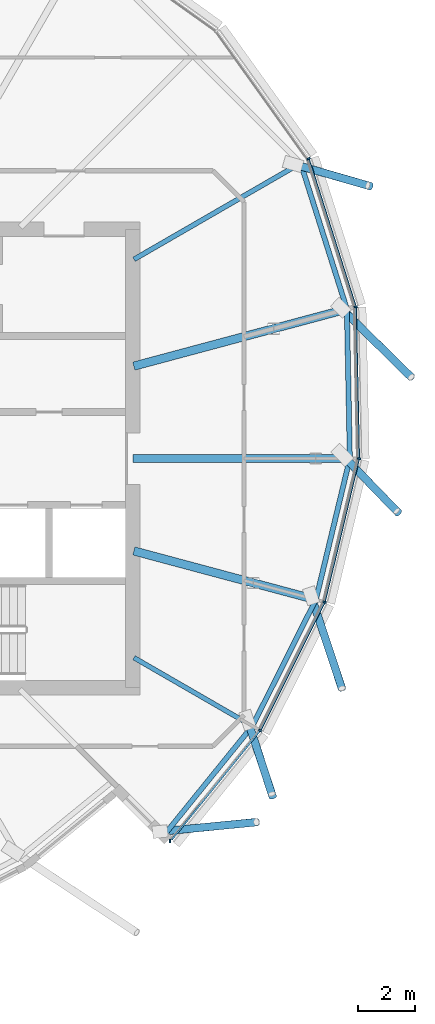
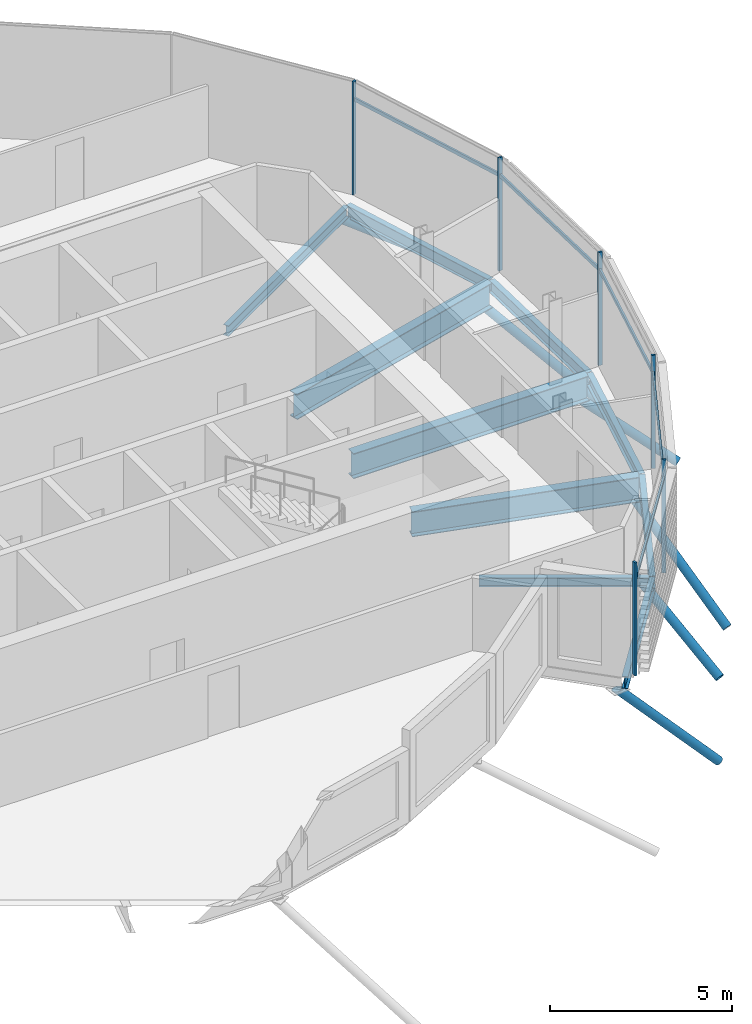
# One storey, part 12 of 38: 17 members, 10 beams, 1 element without a shape of its own.
"""IFC4 building model written with IfcOpenShell, lengths in metres."""

import ifcopenshell
import ifcopenshell.guid

model = None  # the IFC model being written
_history = None  # IfcOwnerHistory: only IFC2X3 demands one
_inside = {}  # id of a spatial element -> (the spatial element, [elements in it])
_under = {}  # id of a project, library or spatial element -> (it, [spatial elements below it])
_declared = {}  # id of a project -> (the project, [libraries it declares])
_typed = {}  # id of a type object -> (the type object, [elements of that type])
_made_of = {}  # id of a material, layer set ... -> (it, [elements and type objects made of it])


def new_model(schema):
    """Start an empty IFC model of exactly this schema.

    Asked for "IFC4X3", IfcOpenShell would pick the latest addendum, in which some entities
    have other attributes; the version numbers below select the first issue.
    IFC2X3 requires an IfcOwnerHistory on every rooted entity: one is made here for all.
    """
    global model, _history
    if schema == "IFC4X3":
        model = ifcopenshell.file(schema_version=(4, 3, 0, 0))
    else:
        model = ifcopenshell.file(schema=schema)
    _inside.clear()
    _under.clear()
    _declared.clear()
    _typed.clear()
    _made_of.clear()
    _history = None
    if model.schema == "IFC2X3":
        org = make("IfcOrganization", Name="unknown")
        user = make(
            "IfcPersonAndOrganization",
            ThePerson=make("IfcPerson", FamilyName="unknown"),
            TheOrganization=org,
        )
        app = make(
            "IfcApplication",
            ApplicationDeveloper=org,
            Version="unknown",
            ApplicationFullName="unknown",
            ApplicationIdentifier="unknown",
        )
        _history = make(
            "IfcOwnerHistory",
            OwningUser=user,
            OwningApplication=app,
            ChangeAction="ADDED",
            CreationDate=0,
        )
    return model


def make(cls, **values):
    """One entity of the class cls with the attributes given. An attribute that is None is left unset."""
    return model.create_entity(
        cls, **{name: value for name, value in values.items() if value is not None}
    )


def rooted(cls, **values):
    """An entity with a GlobalId (a new one), such as an element, a storey or a relation."""
    return make(cls, GlobalId=ifcopenshell.guid.new(), OwnerHistory=_history, **values)


def si_unit(unit_type, name, prefix=None):
    """IfcSIUnit, for example si_unit("LENGTHUNIT", "METRE", prefix="MILLI")."""
    return make("IfcSIUnit", UnitType=unit_type, Prefix=prefix, Name=name)


def assignment(units):
    """IfcUnitAssignment: the units of a project."""
    return None if units is None else make("IfcUnitAssignment", Units=units)


def point(xyz):
    """IfcCartesianPoint."""
    return None if xyz is None else make("IfcCartesianPoint", Coordinates=xyz)


def direction(xyz):
    """IfcDirection."""
    return None if xyz is None else make("IfcDirection", DirectionRatios=xyz)


def frame(location, z_axis=None, x_axis=None):
    """IfcAxis2Placement3D, a coordinate frame: its origin and axes. An axis left out is left unset."""
    return make(
        "IfcAxis2Placement3D",
        Location=point(location),
        Axis=direction(z_axis),
        RefDirection=direction(x_axis),
    )


def frame_2d(location, x_axis=None):
    """IfcAxis2Placement2D, a coordinate frame in the plane: its origin and x axis."""
    return make(
        "IfcAxis2Placement2D", Location=point(location), RefDirection=direction(x_axis)
    )


def origin():
    """The frame at (0, 0, 0) with its axes left unset."""
    return frame((0.0, 0.0, 0.0))


def origin_2d():
    """The frame at (0, 0) in the plane with its x axis left unset."""
    return frame_2d((0.0, 0.0))


def place(relative_to, where):
    """IfcLocalPlacement: puts the frame where relative to a parent placement (None: the world)."""
    return make(
        "IfcLocalPlacement", PlacementRelTo=relative_to, RelativePlacement=where
    )


def context(
    kind, dimensions, precision=None, world=None, true_north=None, identifier=None
):
    """IfcGeometricRepresentationContext, for example the 3D "Model" context."""
    return make(
        "IfcGeometricRepresentationContext",
        ContextIdentifier=identifier,
        ContextType=kind,
        CoordinateSpaceDimension=dimensions,
        Precision=precision,
        WorldCoordinateSystem=world,
        TrueNorth=true_north,
    )


def subcontext(parent, identifier, kind, view, scale=None):
    """IfcGeometricRepresentationSubContext, for example "Body" below "Model"."""
    return make(
        "IfcGeometricRepresentationSubContext",
        ContextIdentifier=identifier,
        ContextType=kind,
        ParentContext=parent,
        TargetScale=scale,
        TargetView=view,
    )


def project(units=None, contexts=None):
    """IfcProject with its units and contexts."""
    return rooted(
        "IfcProject",
        Name="project",
        RepresentationContexts=contexts,
        UnitsInContext=assignment(units),
    )


def spatial(cls, under=None, at=None, **own):
    """A site, building, storey or space (cls), placed at a placement, below another one or the project."""
    s = rooted(cls, ObjectPlacement=at, **own)
    if under is not None:
        _under.setdefault(under.id(), (under, []))[1].append(s)
    return s


def profile(cls, at=None, kind="AREA", **sizes):
    """A parametric profile (cls). Its sizes go by their IFC names, for example OverallWidth=200.0."""
    return make(cls, ProfileType=kind, Position=at, **sizes)


def rectangle(**sizes):
    """IfcRectangleProfileDef."""
    return profile("IfcRectangleProfileDef", **sizes)


def hollow_circle(**sizes):
    """IfcCircleHollowProfileDef."""
    return profile("IfcCircleHollowProfileDef", **sizes)


def i_section(**sizes):
    """IfcIShapeProfileDef."""
    return profile("IfcIShapeProfileDef", **sizes)


def extrude(swept, where, along, depth):
    """IfcExtrudedAreaSolid: the profile swept, set in the frame where, extruded along a direction by depth."""
    return make(
        "IfcExtrudedAreaSolid",
        SweptArea=swept,
        Position=where,
        ExtrudedDirection=direction(along),
        Depth=depth,
    )


def clip(a, b, op="DIFFERENCE"):
    """IfcBooleanClippingResult: the solid a cut by the half space b."""
    return make(
        "IfcBooleanClippingResult", Operator=op, FirstOperand=a, SecondOperand=b
    )


def halfspace(plane, agree):
    """IfcHalfSpaceSolid: all space on one side of the plane z = 0 of the frame plane."""
    return make(
        "IfcHalfSpaceSolid",
        BaseSurface=make("IfcPlane", Position=plane),
        AgreementFlag=agree,
    )


def shape(context_of_items, identifier, shape_type, items):
    """IfcShapeRepresentation: the items that make up one representation, for example the "Body"."""
    return make(
        "IfcShapeRepresentation",
        ContextOfItems=context_of_items,
        RepresentationIdentifier=identifier,
        RepresentationType=shape_type,
        Items=items,
    )


def material(Name=None, Category=None):
    """IfcMaterial."""
    return make("IfcMaterial", Name=Name, Category=Category)


def material_profile(
    of_material, cross_section, Name=None, Category=None, Priority=None
):
    """IfcMaterialProfile: a cross section and its material."""
    return make(
        "IfcMaterialProfile",
        Name=Name,
        Material=of_material,
        Profile=cross_section,
        Priority=Priority,
        Category=Category,
    )


def profile_set(profiles, Name=None, composite=None):
    """IfcMaterialProfileSet."""
    return make(
        "IfcMaterialProfileSet",
        Name=Name,
        MaterialProfiles=profiles,
        CompositeProfile=composite,
    )


def made_of(thing, what):
    """Note that an element or type object is made of a material, layer set ...; save() writes the relation."""
    if what is not None:
        _made_of.setdefault(what.id(), (what, []))[1].append(thing)
    return thing


def type_object(cls, material=None, **own):
    """A type object (cls), such as IfcWallType, which elements share."""
    return made_of(rooted(cls, **own), material)


def element(
    cls,
    number,
    at=None,
    inside=None,
    cuts=None,
    type_object=None,
    material=None,
    context=None,
    identifier="Body",
    shape_type=None,
    held_by="IfcProductDefinitionShape",
    body=None,
    shapes=None,
    **own,
):
    """One element of the class cls, such as IfcWall. Its Tag is "e" and its number.

    at: its placement. inside: the storey or other place that contains it. cuts: it is an
    opening in that element (IfcRelVoidsElement). A single representation is given by context,
    identifier, shape_type and body (its items); several are given by shapes. held_by: the class
    of the entity that holds the representations. save() writes the other relations.
    """
    e = rooted(cls, Tag="e%d" % number, ObjectPlacement=at, **own)
    if body is not None:
        shapes = [shape(context, identifier, shape_type, body)]
    if shapes is not None:
        e.Representation = make(held_by, Representations=shapes)
    if inside is not None:
        _inside.setdefault(inside.id(), (inside, []))[1].append(e)
    if cuts is not None:
        rooted(
            "IfcRelVoidsElement", RelatingBuildingElement=cuts, RelatedOpeningElement=e
        )
    if type_object is not None:
        _typed.setdefault(type_object.id(), (type_object, []))[1].append(e)
    return made_of(e, material)


def aggregate(whole, parts):
    """IfcRelAggregates: a whole, such as a stair, and the parts it consists of."""
    return rooted("IfcRelAggregates", RelatingObject=whole, RelatedObjects=parts)


def save(model, path):
    """Write the relations noted so far, then the file.

    IfcRelAggregates (storeys below a building ...), IfcRelContainedInSpatialStructure (elements
    in a storey), IfcRelDefinesByType, IfcRelAssociatesMaterial and IfcRelDeclares: one each for
    every whole, place, type object, material and project.
    """
    for whole, parts in _under.values():
        aggregate(whole, parts)
    for where, things in _inside.values():
        rooted(
            "IfcRelContainedInSpatialStructure",
            RelatedElements=things,
            RelatingStructure=where,
        )
    for kind, things in _typed.values():
        rooted("IfcRelDefinesByType", RelatedObjects=things, RelatingType=kind)
    for what, things in _made_of.values():
        rooted("IfcRelAssociatesMaterial", RelatedObjects=things, RelatingMaterial=what)
    for by, libraries in _declared.values():
        rooted("IfcRelDeclares", RelatingContext=by, RelatedDefinitions=libraries)
    model.write(path)


model = new_model("IFC4")

# Units and contexts
model_context = context("Model", 3, precision=1e-05, world=origin(), true_north=direction((0.0, 1.0)))
body_context = subcontext(model_context, "Body", "Model", "MODEL_VIEW")
ifc_project = project(units=[si_unit("LENGTHUNIT", "METRE"), si_unit("AREAUNIT", "SQUARE_METRE"), si_unit("VOLUMEUNIT", "CUBIC_METRE"), si_unit("PLANEANGLEUNIT", "RADIAN"), si_unit("MASSUNIT", "GRAM", prefix="KILO")], contexts=[model_context])

# Site, building, storey
site_placement = place(None, origin())
site = spatial("IfcSite", under=ifc_project, at=site_placement, CompositionType="ELEMENT")
building_placement = place(site_placement, origin())
building = spatial("IfcBuilding", under=site, at=building_placement, Name="Rimbun Link Towers", CompositionType="ELEMENT")
storey_placement = place(building_placement, frame((0.0, 0.0, 218.10009765625)))
storey = spatial("IfcBuildingStorey", under=building, at=storey_placement, Name="L53", CompositionType="ELEMENT", Elevation=218.10009765625)

# Curtain wall, members
ifc_material_1 = material(Name="Aluminium 6063-T6 and low-iron glass", Category="aluminium")
curtain_wall_type = type_object("IfcCurtainWallType", Name="CW1-Z4 unitised vision wall (zone 4)", PredefinedType="NOTDEFINED", material=ifc_material_1)
curtain_wall_placement = place(storey_placement, origin())
curtain_wall = element("IfcCurtainWall", 1, at=curtain_wall_placement, inside=storey, type_object=curtain_wall_type, Name="CW1 L53 T2", PredefinedType="NOTDEFINED")
ifc_material_2 = material(Name="Aluminium 6063-T6", Category="aluminium")
ifc_material_profile_1 = material_profile(ifc_material_2, rectangle(XDim=0.1201171875, YDim=0.06005859375, at=origin_2d()), Name="MULLION 60X120")
ifc_profile_set_1 = profile_set([ifc_material_profile_1], Name="Aluminium 6063-T6")
member_type_1 = type_object("IfcMemberType", Name="CW1 mullion 60X120", PredefinedType="MULLION", material=ifc_profile_set_1)
member_1_placement = place(storey_placement, frame((48.19677734375, -9.4990234375, 0.0), z_axis=(0.0, 0.0, 1.0), x_axis=(0.84031380241, -0.542100279911, 0.0)))
member_1 = element("IfcMember", 2, at=member_1_placement, type_object=member_type_1, Name="CW1 mullion", PredefinedType="MULLION", context=body_context, shape_type="SweptSolid", body=[
    extrude(rectangle(XDim=0.1201171875, YDim=0.06005859375, at=origin_2d()), origin(), (0.0, 0.0, 1.0), 3.7998046875),
])
member_2_placement = place(storey_placement, frame((45.04931640625, -13.356201171875, 0.0), z_axis=(0.0, 0.0, 1.0), x_axis=(0.052431318032, -0.998624532489, 0.0)))
member_2 = element("IfcMember", 3, at=member_2_placement, type_object=member_type_1, Name="CW1 mullion", PredefinedType="MULLION", context=body_context, shape_type="SweptSolid", body=[
    extrude(rectangle(XDim=0.1201171875, YDim=0.06005859375, at=origin_2d()), origin(), (0.0, 0.0, 1.0), 3.7998046875),
])
member_3_placement = place(storey_placement, frame((50.447998046875, -5.015625, 0.0), z_axis=(0.0, 0.0, 1.0), x_axis=(0.939350189301, -0.342959504693, 0.0)))
member_3 = element("IfcMember", 4, at=member_3_placement, type_object=member_type_1, Name="CW1 mullion", PredefinedType="MULLION", context=body_context, shape_type="SweptSolid", body=[
    extrude(rectangle(XDim=0.1201171875, YDim=0.06005859375, at=origin_2d()), origin(), (0.0, 0.0, 1.0), 3.7998046875),
])
member_4_placement = place(storey_placement, frame((51.64599609375, -0.00634765625, 0.0), z_axis=(0.0, 0.0, 1.0), x_axis=(0.994297261703, -0.106644059234, 0.0)))
member_4 = element("IfcMember", 5, at=member_4_placement, type_object=member_type_1, Name="CW1 mullion", PredefinedType="MULLION", context=body_context, shape_type="SweptSolid", body=[
    extrude(rectangle(XDim=0.1201171875, YDim=0.06005859375, at=origin_2d()), origin(), (0.0, 0.0, 1.0), 3.7998046875),
])
member_5_placement = place(storey_placement, frame((51.5341796875, 5.295166015625, 0.0), z_axis=(0.0, 0.0, 1.0), x_axis=(0.986503176401, 0.163742123322, 0.0)))
member_5 = element("IfcMember", 6, at=member_5_placement, type_object=member_type_1, Name="CW1 mullion", PredefinedType="MULLION", context=body_context, shape_type="SweptSolid", body=[
    extrude(rectangle(XDim=0.1201171875, YDim=0.06005859375, at=origin_2d()), origin(), (0.0, 0.0, 1.0), 3.7998046875),
])
member_6_placement = place(storey_placement, frame((49.888916015625, 10.468505859375, 0.0), z_axis=(0.0, 0.0, 1.0), x_axis=(0.893747370615, 0.448570660563, 0.0)))
member_6 = element("IfcMember", 7, at=member_6_placement, type_object=member_type_1, Name="CW1 mullion", PredefinedType="MULLION", context=body_context, shape_type="SweptSolid", body=[
    extrude(rectangle(XDim=0.1201171875, YDim=0.06005859375, at=origin_2d()), origin(), (0.0, 0.0, 1.0), 3.7998046875),
])
ifc_material_3 = material(Name="Aluminium 6063-T6", Category="aluminium")
ifc_material_profile_2 = material_profile(ifc_material_3, rectangle(XDim=0.06005859375, YDim=0.1201171875, at=origin_2d()), Name="TRANSOM 60X120")
ifc_profile_set_2 = profile_set([ifc_material_profile_2], Name="Aluminium 6063-T6")
member_type_2 = type_object("IfcMemberType", Name="CW1 transom 60X120", PredefinedType="USERDEFINED", material=ifc_profile_set_2)
member_7_placement = place(storey_placement, frame((48.172607421875, -9.526123046875, 3.199951171875), z_axis=(-0.629186685301, -0.777254215196, 0.0), x_axis=(0.777254215196, -0.629186685301, 0.0)))
member_7 = element("IfcMember", 8, at=member_7_placement, type_object=member_type_2, Name="CW1 transom", ObjectType="TRANSOM", PredefinedType="USERDEFINED", context=body_context, shape_type="SweptSolid", body=[
    extrude(rectangle(XDim=0.06005859375, YDim=0.1201171875, at=origin_2d()), origin(), (0.0, 0.0, 1.0), 4.867431640625),
])
member_8_placement = place(storey_placement, frame((50.43017578125, -5.0478515625, 3.199951171875), z_axis=(-0.448773522583, -0.893645525602, 0.0), x_axis=(0.893645525602, -0.448773522583, 0.0)))
member_8 = element("IfcMember", 9, at=member_8_placement, type_object=member_type_2, Name="CW1 transom", ObjectType="TRANSOM", PredefinedType="USERDEFINED", context=body_context, shape_type="SweptSolid", body=[
    extrude(rectangle(XDim=0.06005859375, YDim=0.1201171875, at=origin_2d()), origin(), (0.0, 0.0, 1.0), 4.943603515625),
])
member_9_placement = place(storey_placement, frame((51.6357421875, -0.042724609375, 3.199951171875), z_axis=(-0.232608819972, -0.972570376308, 0.0), x_axis=(0.972570376308, -0.232608819972, 0.0)))
member_9 = element("IfcMember", 10, at=member_9_placement, type_object=member_type_2, Name="CW1 transom", ObjectType="TRANSOM", PredefinedType="USERDEFINED", context=body_context, shape_type="SweptSolid", body=[
    extrude(rectangle(XDim=0.06005859375, YDim=0.1201171875, at=origin_2d()), origin(), (0.0, 0.0, 1.0), 5.07568359375),
])
member_10_placement = place(storey_placement, frame((51.53369140625, 5.256591796875, 3.199951171875), z_axis=(0.021020444364, -0.999779046049, 0.0), x_axis=(0.999779046049, 0.021020444364, 0.0)))
member_10 = element("IfcMember", 11, at=member_10_placement, type_object=member_type_2, Name="CW1 transom", ObjectType="TRANSOM", PredefinedType="USERDEFINED", context=body_context, shape_type="SweptSolid", body=[
    extrude(rectangle(XDim=0.06005859375, YDim=0.1201171875, at=origin_2d()), origin(), (0.0, 0.0, 1.0), 5.2265625),
])
member_11_placement = place(storey_placement, frame((49.899658203125, 10.430419921875, 3.199951171875), z_axis=(0.30306993385, -0.952968318044, 0.0), x_axis=(0.952968318044, 0.30306993385, 0.0)))
member_11 = element("IfcMember", 12, at=member_11_placement, type_object=member_type_2, Name="CW1 transom", ObjectType="TRANSOM", PredefinedType="USERDEFINED", context=body_context, shape_type="SweptSolid", body=[
    extrude(rectangle(XDim=0.06005859375, YDim=0.1201171875, at=origin_2d()), origin(), (0.0, 0.0, 1.0), 5.3505859375),
])
aggregate(curtain_wall, [member_1, member_2, member_3, member_4, member_5, member_6, member_7, member_8, member_9, member_10, member_11])

# Members
ifc_material_4 = material(Name="Steel S355J2H", Category="steel")
ifc_material_profile_3 = material_profile(ifc_material_4, hollow_circle(Radius=0.136474609375, WallThickness=0.012451171875, at=origin_2d()), Name="CHS 273x12.5")
ifc_profile_set_3 = profile_set([ifc_material_profile_3], Name="Steel S355J2H")
member_type_3 = type_object("IfcMemberType", Name="Floor edge link CHS 273x12.5", PredefinedType="BRACE", material=ifc_profile_set_3)
member_12_placement = place(storey_placement, frame((44.76904296875, -13.01904296875, -0.638671875), z_axis=(0.665632425483, 0.065311038428, -0.743416399069), x_axis=(-0.09764984937, 0.995220833242, 0.0)))
element("IfcMember", 13, at=member_12_placement, inside=storey, type_object=member_type_3, Name="Floor edge link T2 L53 18", PredefinedType="BRACE", context=body_context, shape_type="Clipping", body=[
    clip(extrude(hollow_circle(Radius=0.136474609375, WallThickness=0.012451171875, at=origin_2d()), frame((0.0, 0.0, -0.259033203125)), (0.0, 0.0, 1.0), 5.230712890625), halfspace(frame((0.0, 0.0, -0.121337890625), z_axis=(0.0, 0.668828870186, -0.743416399069)), False)),
])
member_13_placement = place(storey_placement, frame((47.805908203125, -9.269775390625, -0.55810546875), z_axis=(0.261565228331, -0.797121950973, -0.544224426689), x_axis=(0.950154078414, 0.311780735892, 0.0)))
element("IfcMember", 14, at=member_13_placement, inside=storey, type_object=member_type_3, Name="Floor edge link T2 L53 19", PredefinedType="BRACE", context=body_context, shape_type="Clipping", body=[
    clip(extrude(hollow_circle(Radius=0.136474609375, WallThickness=0.012451171875, at=origin_2d()), frame((0.0, 0.0, -0.439208984375)), (0.0, 0.0, 1.0), 3.6220703125), halfspace(frame((0.0, 0.0, -0.20703125), z_axis=(0.0, 0.838939672083, -0.544224426689)), False)),
])
member_14_placement = place(storey_placement, frame((50.009521484375, -4.892578125, -1.087890625), z_axis=(0.246594536918, -0.740819480454, -0.624802074054), x_axis=(0.948815885156, 0.315829726396, 0.0)))
element("IfcMember", 15, at=member_14_placement, inside=storey, type_object=member_type_3, Name="Floor edge link T2 L53 20", PredefinedType="BRACE", context=body_context, shape_type="Clipping", body=[
    clip(extrude(hollow_circle(Radius=0.136474609375, WallThickness=0.012451171875, at=origin_2d()), frame((0.0, 0.0, -0.357177734375)), (0.0, 0.0, 1.0), 4.599365234375), halfspace(frame((0.0, 0.0, -0.168212890625), z_axis=(0.0, 0.780783176214, -0.624802074054)), False)),
])
member_15_placement = place(storey_placement, frame((51.188720703125, 0.0, -1.099609375), z_axis=(0.605982401545, -0.626398840063, -0.490316043165), x_axis=(0.718722555949, 0.695296977967, 0.0)))
element("IfcMember", 16, at=member_15_placement, inside=storey, type_object=member_type_3, Name="Floor edge link T2 L53 21", PredefinedType="BRACE", context=body_context, shape_type="Clipping", body=[
    clip(extrude(hollow_circle(Radius=0.136474609375, WallThickness=0.012451171875, at=origin_2d()), frame((0.0, 0.0, -0.505615234375)), (0.0, 0.0, 1.0), 3.54296875), halfspace(frame((0.0, 0.0, -0.23828125), z_axis=(0.0, 0.871544707869, -0.490316043165)), False)),
])
member_16_placement = place(storey_placement, frame((51.0908203125, 5.182373046875, -1.088134765625), z_axis=(0.558810881587, -0.549559234902, -0.621059615459), x_axis=(0.701180082546, 0.712984215703, 0.0)))
element("IfcMember", 17, at=member_16_placement, inside=storey, type_object=member_type_3, Name="Floor edge link T2 L53 22", PredefinedType="BRACE", context=body_context, shape_type="Clipping", body=[
    clip(extrude(hollow_circle(Radius=0.136474609375, WallThickness=0.012451171875, at=origin_2d()), frame((0.0, 0.0, -0.360595703125)), (0.0, 0.0, 1.0), 4.635498046875), halfspace(frame((0.0, 0.0, -0.169677734375), z_axis=(0.0, 0.783763327827, -0.621059615459)), False)),
])
member_17_placement = place(storey_placement, frame((49.490478515625, 10.242431640625, -0.610107421875), z_axis=(0.809767204211, -0.233164936687, -0.538434013862), x_axis=(0.276698564854, 0.960956765004, 0.0)))
element("IfcMember", 18, at=member_17_placement, inside=storey, type_object=member_type_3, Name="Floor edge link T2 L53 23", PredefinedType="BRACE", context=body_context, shape_type="Clipping", body=[
    clip(extrude(hollow_circle(Radius=0.136474609375, WallThickness=0.012451171875, at=origin_2d()), frame((0.0, 0.0, -0.44580078125)), (0.0, 0.0, 1.0), 3.618408203125), halfspace(frame((0.0, 0.0, -0.2099609375), z_axis=(0.0, 0.842667676321, -0.538434013862)), False)),
])

# Beams
ifc_material_5 = material(Name="Steel S355J2", Category="steel")
ifc_material_profile_4 = material_profile(ifc_material_5, i_section(OverallWidth=0.1650390625, OverallDepth=0.303466796875, WebThickness=0.006103515625, FlangeThickness=0.01025390625, at=origin_2d()), Name="UB 305x165x40")
ifc_profile_set_4 = profile_set([ifc_material_profile_4], Name="Steel S355J2")
beam_type_1 = type_object("IfcBeamType", Name="UB 305x165x40", PredefinedType="BEAM", material=ifc_profile_set_4)
beam_1_placement = place(storey_placement, frame((43.7919921875, -6.952392578125, -0.291748046875), z_axis=(0.866012016993, -0.500023185886, 0.0), x_axis=(0.500023185886, 0.866012016993, 0.0)))
element("IfcBeam", 19, at=beam_1_placement, inside=storey, type_object=beam_type_1, Name="Radial beam T2 L53 19", PredefinedType="BEAM", context=body_context, shape_type="SweptSolid", body=[
    extrude(i_section(OverallWidth=0.1650390625, OverallDepth=0.303466796875, WebThickness=0.006103515625, FlangeThickness=0.01025390625, at=origin_2d()), origin(), (0.0, 0.0, 1.0), 4.684814453125),
])
ifc_material_6 = material(Name="Steel S355J2", Category="steel")
ifc_material_profile_5 = material_profile(ifc_material_6, i_section(OverallWidth=0.17138671875, OverallDepth=0.35498046875, WebThickness=0.00732421875, FlangeThickness=0.011474609375, at=origin_2d()), Name="UB 356x171x51")
ifc_profile_set_5 = profile_set([ifc_material_profile_5], Name="Steel S355J2")
beam_type_2 = type_object("IfcBeamType", Name="UB 356x171x51", PredefinedType="BEAM", material=ifc_profile_set_5)
beam_2_placement = place(storey_placement, frame((43.793701171875, 6.95361328125, -0.317626953125), z_axis=(0.866026714536, 0.499997729706, 0.0), x_axis=(-0.499997729706, 0.866026714536, 0.0)))
element("IfcBeam", 20, at=beam_2_placement, inside=storey, type_object=beam_type_2, Name="Radial beam T2 L53 23", PredefinedType="BEAM", context=body_context, shape_type="SweptSolid", body=[
    extrude(i_section(OverallWidth=0.17138671875, OverallDepth=0.35498046875, WebThickness=0.00732421875, FlangeThickness=0.011474609375, at=origin_2d()), origin(), (0.0, 0.0, 1.0), 6.6279296875),
])
ifc_material_7 = material(Name="Steel S355J2", Category="steel")
ifc_material_profile_6 = material_profile(ifc_material_7, i_section(OverallWidth=0.177978515625, OverallDepth=0.406494140625, WebThickness=0.0078125, FlangeThickness=0.0126953125, at=origin_2d()), Name="UB 406x178x60")
ifc_profile_set_6 = profile_set([ifc_material_profile_6], Name="Steel S355J2")
beam_type_3 = type_object("IfcBeamType", Name="UB 406x178x60", PredefinedType="BEAM", material=ifc_profile_set_6)
beam_3_placement = place(storey_placement, frame((44.869140625, -13.11767578125, -0.34326171875), z_axis=(0.629166368262, 0.777270661383, 0.0), x_axis=(-0.777270661383, 0.629166368262, 0.0)))
element("IfcBeam", 21, at=beam_3_placement, inside=storey, type_object=beam_type_3, Name="Edge beam T2 L53 18", PredefinedType="BEAM", context=body_context, shape_type="SweptSolid", body=[
    extrude(i_section(OverallWidth=0.177978515625, OverallDepth=0.406494140625, WebThickness=0.0078125, FlangeThickness=0.0126953125, at=origin_2d()), origin(), (0.0, 0.0, 1.0), 4.849609375),
])
beam_4_placement = place(storey_placement, frame((47.931884765625, -9.330322265625, -0.34326171875), z_axis=(0.449219154392, 0.89342159775, 0.0), x_axis=(-0.89342159775, 0.449219154392, 0.0)))
element("IfcBeam", 22, at=beam_4_placement, inside=storey, type_object=beam_type_3, Name="Edge beam T2 L53 19", PredefinedType="BEAM", context=body_context, shape_type="SweptSolid", body=[
    extrude(i_section(OverallWidth=0.177978515625, OverallDepth=0.406494140625, WebThickness=0.0078125, FlangeThickness=0.0126953125, at=origin_2d()), origin(), (0.0, 0.0, 1.0), 4.915283203125),
])
beam_5_placement = place(storey_placement, frame((50.147705078125, -4.91796875, -0.34326171875), z_axis=(0.233621844112, 0.972327534298, 0.0), x_axis=(-0.972327534298, 0.233621844112, 0.0)))
element("IfcBeam", 23, at=beam_5_placement, inside=storey, type_object=beam_type_3, Name="Edge beam T2 L53 20", PredefinedType="BEAM", context=body_context, shape_type="SweptSolid", body=[
    extrude(i_section(OverallWidth=0.177978515625, OverallDepth=0.406494140625, WebThickness=0.0078125, FlangeThickness=0.0126953125, at=origin_2d()), origin(), (0.0, 0.0, 1.0), 5.04541015625),
])
beam_6_placement = place(storey_placement, frame((51.3291015625, 0.012451171875, -0.34326171875), z_axis=(-0.019744128625, 0.999805065693, 0.0), x_axis=(-0.999805065693, -0.019744128625, 0.0)))
element("IfcBeam", 24, at=beam_6_placement, inside=storey, type_object=beam_type_3, Name="Edge beam T2 L53 21", PredefinedType="BEAM", context=body_context, shape_type="SweptSolid", body=[
    extrude(i_section(OverallWidth=0.177978515625, OverallDepth=0.406494140625, WebThickness=0.0078125, FlangeThickness=0.0126953125, at=origin_2d()), origin(), (0.0, 0.0, 1.0), 5.193359375),
])
beam_7_placement = place(storey_placement, frame((51.22216796875, 5.23193359375, -0.34326171875), z_axis=(-0.301773727625, 0.953379576724, 0.0), x_axis=(-0.953379576724, -0.301773727625, 0.0)))
element("IfcBeam", 25, at=beam_7_placement, inside=storey, type_object=beam_type_3, Name="Edge beam T2 L53 22", PredefinedType="BEAM", context=body_context, shape_type="SweptSolid", body=[
    extrude(i_section(OverallWidth=0.177978515625, OverallDepth=0.406494140625, WebThickness=0.0078125, FlangeThickness=0.0126953125, at=origin_2d()), origin(), (0.0, 0.0, 1.0), 5.3291015625),
])
ifc_material_8 = material(Name="Steel S355J2", Category="steel")
ifc_material_profile_7 = material_profile(ifc_material_8, i_section(OverallWidth=0.29248046875, OverallDepth=0.8408203125, WebThickness=0.0126953125, FlangeThickness=0.021728515625, at=origin_2d()), Name="UB 838x292x194")
ifc_profile_set_7 = profile_set([ifc_material_profile_7], Name="Steel S355J2")
beam_type_4 = type_object("IfcBeamType", Name="UB 838x292x194", PredefinedType="BEAM", material=ifc_profile_set_7)
beam_8_placement = place(storey_placement, frame((43.788818359375, -3.225830078125, -0.560546875), z_axis=(0.9659295819, -0.258805028564, 0.0), x_axis=(0.258805028564, 0.9659295819, 0.0)))
element("IfcBeam", 26, at=beam_8_placement, inside=storey, type_object=beam_type_4, Name="Radial beam T2 L53 20", PredefinedType="BEAM", context=body_context, shape_type="SweptSolid", body=[
    extrude(i_section(OverallWidth=0.29248046875, OverallDepth=0.8408203125, WebThickness=0.0126953125, FlangeThickness=0.021728515625, at=origin_2d()), origin(), (0.0, 0.0, 1.0), 6.490234375),
])
beam_9_placement = place(storey_placement, frame((43.7509765625, 0.0, -0.560546875), z_axis=(1.0, 0.0, 0.0), x_axis=(0.0, 1.0, 0.0)))
element("IfcBeam", 27, at=beam_9_placement, inside=storey, type_object=beam_type_4, Name="Radial beam T2 L53 21", PredefinedType="BEAM", context=body_context, shape_type="SweptSolid", body=[
    extrude(i_section(OverallWidth=0.29248046875, OverallDepth=0.8408203125, WebThickness=0.0126953125, FlangeThickness=0.021728515625, at=origin_2d()), origin(), (0.0, 0.0, 1.0), 7.48779296875),
])
beam_10_placement = place(storey_placement, frame((43.788818359375, 3.225830078125, -0.560546875), z_axis=(0.965927000013, 0.258814664666, 0.0), x_axis=(-0.258814664666, 0.965927000013, 0.0)))
element("IfcBeam", 28, at=beam_10_placement, inside=storey, type_object=beam_type_4, Name="Radial beam T2 L53 22", PredefinedType="BEAM", context=body_context, shape_type="SweptSolid", body=[
    extrude(i_section(OverallWidth=0.29248046875, OverallDepth=0.8408203125, WebThickness=0.0126953125, FlangeThickness=0.021728515625, at=origin_2d()), origin(), (0.0, 0.0, 1.0), 7.609619140625),
])

save(model, "model.ifc")
